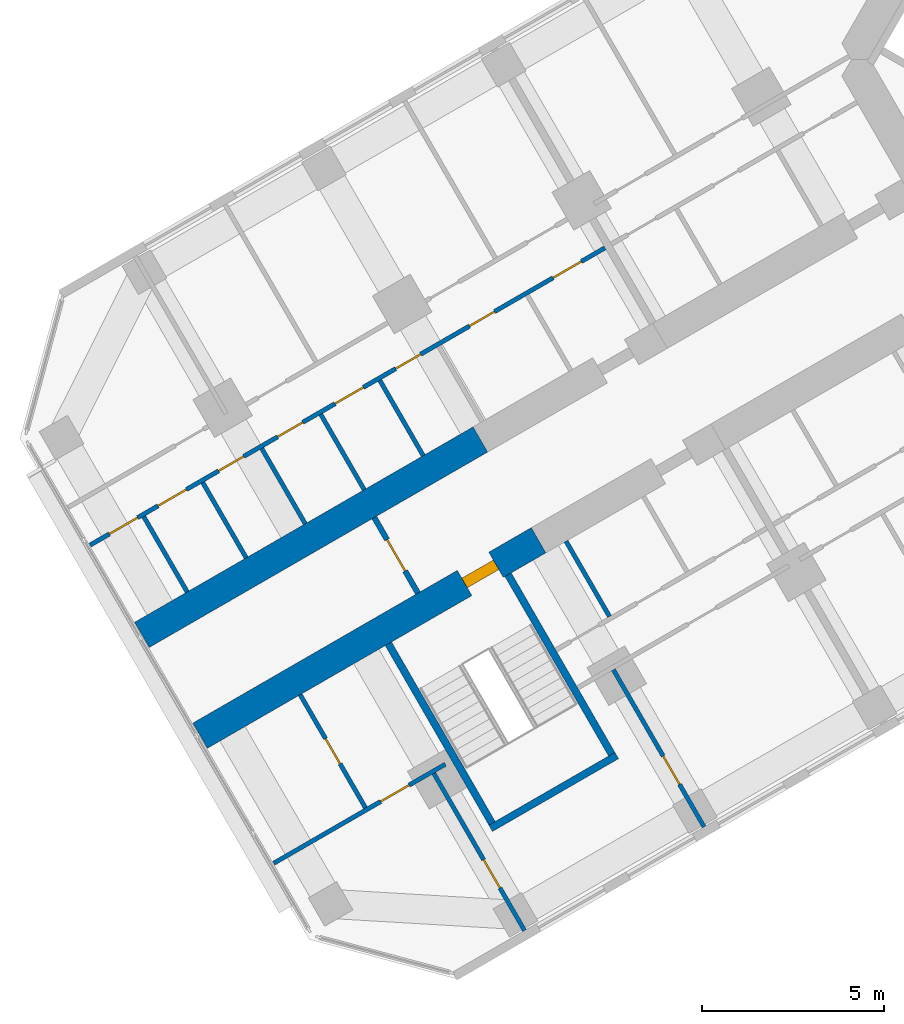
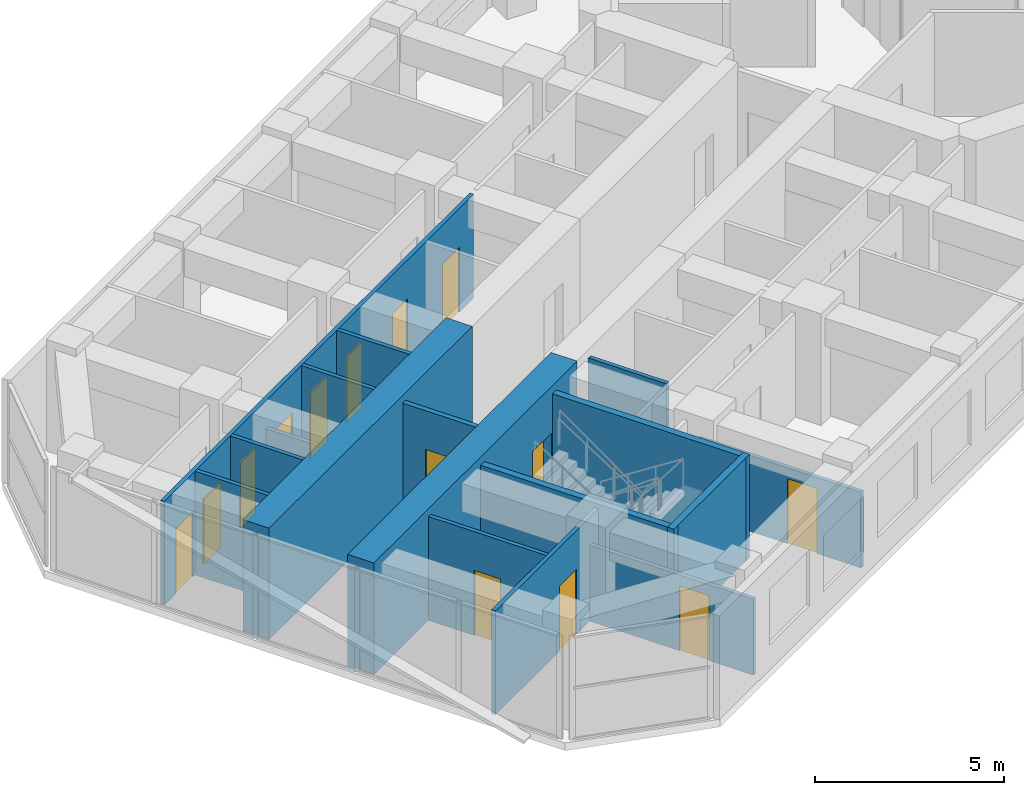
# One storey, part 10 of 19: 17 walls, 14 doors, 14 openings.
"""IFC4 building model written with IfcOpenShell, lengths in metres."""

from ifc_helpers import new_model, si_unit, direction, frame, frame_2d, origin, place, context, subcontext, project, spatial, rectangle, extrude, material, layer, layer_set, type_object, element, fill, save


model = new_model("IFC4")

# Units and contexts
model_context = context("Model", 3, precision=1e-05, world=origin(), true_north=direction((0.0, 1.0)))
body_context = subcontext(model_context, "Body", "Model", "MODEL_VIEW")
ifc_project = project(units=[si_unit("LENGTHUNIT", "METRE"), si_unit("AREAUNIT", "SQUARE_METRE"), si_unit("VOLUMEUNIT", "CUBIC_METRE"), si_unit("PLANEANGLEUNIT", "RADIAN"), si_unit("MASSUNIT", "GRAM", prefix="KILO")], contexts=[model_context])

# Site, building, storey
site_placement = place(None, origin())
site = spatial("IfcSite", under=ifc_project, at=site_placement, CompositionType="ELEMENT")
building_placement = place(site_placement, origin())
building = spatial("IfcBuilding", under=site, at=building_placement, Name="Kosmar Iwan School Tower", CompositionType="ELEMENT")
storey_placement = place(building_placement, frame((0.0, 0.0, 158.0)))
storey = spatial("IfcBuildingStorey", under=building, at=storey_placement, Name="L39", CompositionType="ELEMENT", Elevation=158.0)

# Wall, opening, door
ifc_material_1 = material(Name="Concrete C50/60", Category="concrete")
ifc_layer_1 = layer(ifc_material_1, 0.800048828125)
ifc_layer_set_1 = layer_set([ifc_layer_1], Name="Corridor buttress wall 800")
wall_type_1 = type_object("IfcWallType", Name="Corridor buttress wall 800", PredefinedType="SHEAR", material=ifc_layer_set_1)
wall_1_placement = place(storey_placement, frame((-19.681396484375, -13.210693359375, 0.0), z_axis=(0.0, 0.0, 1.0), x_axis=(-0.866028186671, -0.499995179869, 0.0)))
wall_1 = element("IfcWall", 1, at=wall_1_placement, inside=storey, type_object=wall_type_1, Name="Corridor wall BL bay 3", PredefinedType="SHEAR", context=body_context, shape_type="SweptSolid", body=[
    extrude(rectangle(XDim=10.7451171875, YDim=0.800048828125, at=frame_2d((5.37255859375, 0.0))), origin(), (0.0, 0.0, 1.0), 3.60009765625),
])
opening_1_placement = place(wall_1_placement, frame((1.35009765625, 0.0, 0.0)))
opening_1 = element("IfcOpeningElement", 2, at=opening_1_placement, cuts=wall_1, Name="Opening D6", PredefinedType="OPENING", context=body_context, shape_type="SweptSolid", body=[
    extrude(rectangle(XDim=1.0, YDim=2.10009765625, at=frame_2d((0.5, 1.050048828125))), frame((0.0, 0.412109375, 0.0), z_axis=(0.0, -1.0, 0.0), x_axis=(1.0, 0.0, 0.0)), (0.0, 0.0, 1.0), 0.823974609375),
])
ifc_material_2 = material(Name="Steel fire door", Category="steel")
door_type_1 = type_object("IfcDoorType", Name="Stair door 1000x2100", OperationType="SINGLE_SWING_LEFT", PredefinedType="DOOR", material=ifc_material_2)
door_1_placement = place(opening_1_placement, origin())
door_1 = element("IfcDoor", 3, at=door_1_placement, inside=storey, type_object=door_type_1, Name="Stair WS2 door L39", OperationType="SINGLE_SWING_LEFT", OverallHeight=2.10009765625, OverallWidth=1.0, PredefinedType="DOOR", context=body_context, shape_type="SweptSolid", body=[
    extrude(rectangle(XDim=1.0, YDim=2.10009765625, at=frame_2d((0.5, 1.050048828125))), frame((0.0, 0.14990234375, 0.0), z_axis=(0.0, -1.0, 0.0), x_axis=(1.0, 0.0, 0.0)), (0.0, 0.0, 1.0), 0.300048828125),
])
fill(opening_1, door_1)

# Wall
wall_2_placement = place(storey_placement, frame((-21.281494140625, -10.439453125, 0.0), z_axis=(0.0, 0.0, 1.0), x_axis=(-0.866032345022, -0.499987977232, 0.0)))
element("IfcWall", 4, at=wall_2_placement, inside=storey, type_object=wall_type_1, Name="Corridor wall BR bay 3", PredefinedType="SHEAR", context=body_context, shape_type="SweptSolid", body=[
    extrude(rectangle(XDim=10.744873046875, YDim=0.800048828125, at=frame_2d((5.37255859375, 0.0))), origin(), (0.0, 0.0, 1.0), 3.60009765625),
])

# Wall, opening, door
ifc_material_3 = material(Name="Gypsum board on steel studs, fire-rated", Category="steel")
ifc_layer_2 = layer(ifc_material_3, 0.14990234375)
ifc_layer_set_2 = layer_set([ifc_layer_2], Name="Corridor end wall 150")
wall_type_2 = type_object("IfcWallType", Name="Corridor end wall 150", PredefinedType="PARTITIONING", material=ifc_layer_set_2)
wall_3_placement = place(storey_placement, frame((-24.19921875, -12.585693359375, 0.0), z_axis=(0.0, 0.0, 1.0), x_axis=(0.499957262057, -0.866050077142, 0.0)))
wall_3 = element("IfcWall", 5, at=wall_3_placement, inside=storey, type_object=wall_type_2, Name="Partition L39-B-CE", PredefinedType="PARTITIONING", context=body_context, shape_type="SweptSolid", body=[
    extrude(rectangle(XDim=2.400146484375, YDim=0.14990234375, at=frame_2d((1.2001953125, 0.0))), origin(), (0.0, 0.0, 1.0), 3.35009765625),
])
opening_2_placement = place(wall_3_placement, frame((0.699951171875, 0.0, 0.0)))
opening_2 = element("IfcOpeningElement", 6, at=opening_2_placement, cuts=wall_3, Name="Opening D13", PredefinedType="OPENING", context=body_context, shape_type="SweptSolid", body=[
    extrude(rectangle(XDim=1.0, YDim=2.10009765625, at=frame_2d((0.5, 1.050048828125))), frame((0.0, 0.0869140625, 0.0), z_axis=(0.0, -1.0, 0.0), x_axis=(1.0, 0.0, 0.0)), (0.0, 0.0, 1.0), 0.173828125),
])
ifc_material_4 = material(Name="Timber fire door with vision panel", Category="wood")
door_type_2 = type_object("IfcDoorType", Name="Corridor end door 1000x2100", OperationType="SINGLE_SWING_LEFT", PredefinedType="DOOR", material=ifc_material_4)
door_2_placement = place(opening_2_placement, origin())
door_2 = element("IfcDoor", 7, at=door_2_placement, inside=storey, type_object=door_type_2, Name="Laundry and drying room door L39-B", OperationType="SINGLE_SWING_RIGHT", OverallHeight=2.10009765625, OverallWidth=1.0, PredefinedType="DOOR", context=body_context, shape_type="SweptSolid", body=[
    extrude(rectangle(XDim=1.0, YDim=2.10009765625, at=frame_2d((0.5, 1.050048828125))), frame((0.0, 0.02490234375, 0.0), z_axis=(0.0, -1.0, 0.0), x_axis=(1.0, 0.0, 0.0)), (0.0, 0.0, 1.0), 0.050048828125),
])
fill(opening_2, door_2)

# Wall
ifc_material_5 = material(Name="Gypsum board on steel studs", Category="steel")
ifc_layer_3 = layer(ifc_material_5, 0.1201171875)
ifc_layer_set_3 = layer_set([ifc_layer_3], Name="Dwelling partition 120")
wall_type_3 = type_object("IfcWallType", Name="Dwelling partition 120", PredefinedType="PARTITIONING", material=ifc_layer_set_3)
wall_4_placement = place(storey_placement, frame((-18.92724609375, -13.237060546875, 0.0), z_axis=(0.0, 0.0, 1.0), x_axis=(0.500017192868, -0.86601547725, 0.0)))
element("IfcWall", 8, at=wall_4_placement, inside=storey, type_object=wall_type_3, Name="Partition L39-BL2-Y2", PredefinedType="PARTITIONING", context=body_context, shape_type="SweptSolid", body=[
    extrude(rectangle(XDim=2.39013671875, YDim=0.1201171875, at=frame_2d((1.195068359375, 0.0))), origin(), (0.0, 0.0, 1.0), 3.35009765625),
])

# Wall, opening, door
wall_5_placement = place(storey_placement, frame((-17.62646484375, -16.77001953125, 0.0), z_axis=(0.0, 0.0, 1.0), x_axis=(0.499975153383, -0.86603974851, 0.0)))
wall_5 = element("IfcWall", 9, at=wall_5_placement, inside=storey, type_object=wall_type_3, Name="Partition L39-BL2-TB", PredefinedType="PARTITIONING", context=body_context, shape_type="SweptSolid", body=[
    extrude(rectangle(XDim=4.989990234375, YDim=0.1201171875, at=frame_2d((2.4951171875, 0.0))), origin(), (0.0, 0.0, 1.0), 2.449951171875),
])
opening_3_placement = place(wall_5_placement, frame((2.739990234375, 0.0, 0.0)))
opening_3 = element("IfcOpeningElement", 10, at=opening_3_placement, cuts=wall_5, Name="Opening D2", PredefinedType="OPENING", context=body_context, shape_type="SweptSolid", body=[
    extrude(rectangle(XDim=0.89990234375, YDim=2.10009765625, at=frame_2d((0.449951171875, 1.050048828125))), frame((0.0, 0.072021484375, 0.0), z_axis=(0.0, -1.0, 0.0), x_axis=(1.0, 0.0, 0.0)), (0.0, 0.0, 1.0), 0.14404296875),
])
ifc_material_6 = material(Name="Timber door in timber frame", Category="wood")
door_type_3 = type_object("IfcDoorType", Name="Internal door 900x2100", OperationType="SINGLE_SWING_LEFT", PredefinedType="DOOR", material=ifc_material_6)
door_3_placement = place(opening_3_placement, origin())
door_3 = element("IfcDoor", 11, at=door_3_placement, inside=storey, type_object=door_type_3, Name="Study door L39-BL2-F1", OperationType="SINGLE_SWING_RIGHT", OverallHeight=2.10009765625, OverallWidth=0.89990234375, PredefinedType="DOOR", context=body_context, shape_type="SweptSolid", body=[
    extrude(rectangle(XDim=0.89990234375, YDim=2.10009765625, at=frame_2d((0.449951171875, 1.050048828125))), frame((0.0, 0.02490234375, 0.0), z_axis=(0.0, -1.0, 0.0), x_axis=(1.0, 0.0, 0.0)), (0.0, 0.0, 1.0), 0.050048828125),
])
fill(opening_3, door_3)

wall_6_placement = place(storey_placement, frame((-22.562744140625, -19.6201171875, 0.0), z_axis=(0.0, 0.0, 1.0), x_axis=(0.499996339024, -0.86602751744, 0.0)))
wall_6 = element("IfcWall", 12, at=wall_6_placement, inside=storey, type_object=wall_type_3, Name="Partition L39-BL2-TX", PredefinedType="PARTITIONING", context=body_context, shape_type="SweptSolid", body=[
    extrude(rectangle(XDim=4.98974609375, YDim=0.1201171875, at=frame_2d((2.494873046875, 0.0))), origin(), (0.0, 0.0, 1.0), 2.449951171875),
])
opening_4_placement = place(wall_6_placement, frame((2.739990234375, 0.0, 0.0)))
opening_4 = element("IfcOpeningElement", 13, at=opening_4_placement, cuts=wall_6, Name="Opening D2", PredefinedType="OPENING", context=body_context, shape_type="SweptSolid", body=[
    extrude(rectangle(XDim=0.89990234375, YDim=2.10009765625, at=frame_2d((0.449951171875, 1.050048828125))), frame((0.0, 0.072021484375, 0.0), z_axis=(0.0, -1.0, 0.0), x_axis=(1.0, 0.0, 0.0)), (0.0, 0.0, 1.0), 0.14404296875),
])
door_4_placement = place(opening_4_placement, origin())
door_4 = element("IfcDoor", 14, at=door_4_placement, inside=storey, type_object=door_type_3, Name="Study door L39-BL2-T1", OperationType="SINGLE_SWING_RIGHT", OverallHeight=2.10009765625, OverallWidth=0.89990234375, PredefinedType="DOOR", context=body_context, shape_type="SweptSolid", body=[
    extrude(rectangle(XDim=0.89990234375, YDim=2.10009765625, at=frame_2d((0.449951171875, 1.050048828125))), frame((0.0, 0.02490234375, 0.0), z_axis=(0.0, -1.0, 0.0), x_axis=(1.0, 0.0, 0.0)), (0.0, 0.0, 1.0), 0.050048828125),
])
fill(opening_4, door_4)

wall_7_placement = place(storey_placement, frame((-22.246337890625, -19.3681640625, 0.0), z_axis=(0.0, 0.0, 1.0), x_axis=(-0.866035508231, -0.499982498177, 0.0)))
wall_7 = element("IfcWall", 15, at=wall_7_placement, inside=storey, type_object=wall_type_3, Name="Partition L39-BL2-TW", PredefinedType="PARTITIONING", context=body_context, shape_type="SweptSolid", body=[
    extrude(rectangle(XDim=5.445068359375, YDim=0.1201171875, at=frame_2d((2.72265625, 0.0))), origin(), (0.0, 0.0, 1.0), 3.35009765625),
])
opening_5_placement = place(wall_7_placement, frame((1.14990234375, 0.0, 0.0)))
opening_5 = element("IfcOpeningElement", 16, at=opening_5_placement, cuts=wall_7, Name="Opening D2", PredefinedType="OPENING", context=body_context, shape_type="SweptSolid", body=[
    extrude(rectangle(XDim=0.89990234375, YDim=2.10009765625, at=frame_2d((0.449951171875, 1.050048828125))), frame((0.0, 0.072021484375, 0.0), z_axis=(0.0, -1.0, 0.0), x_axis=(1.0, 0.0, 0.0)), (0.0, 0.0, 1.0), 0.14404296875),
])
door_5_placement = place(opening_5_placement, origin())
door_5 = element("IfcDoor", 17, at=door_5_placement, inside=storey, type_object=door_type_3, Name="Dressing room door L39-BL2-T3", OperationType="SINGLE_SWING_LEFT", OverallHeight=2.10009765625, OverallWidth=0.89990234375, PredefinedType="DOOR", context=body_context, shape_type="SweptSolid", body=[
    extrude(rectangle(XDim=0.89990234375, YDim=2.10009765625, at=frame_2d((0.449951171875, 1.050048828125))), frame((0.0, 0.02490234375, 0.0), z_axis=(0.0, -1.0, 0.0), x_axis=(1.0, 0.0, 0.0)), (0.0, 0.0, 1.0), 0.050048828125),
])
fill(opening_5, door_5)

wall_8_placement = place(storey_placement, frame((-26.236572265625, -17.45703125, 0.0), z_axis=(0.0, 0.0, 1.0), x_axis=(0.50002266109, -0.866012320003, 0.0)))
wall_8 = element("IfcWall", 18, at=wall_8_placement, inside=storey, type_object=wall_type_3, Name="Partition L39-BL2-TY", PredefinedType="PARTITIONING", context=body_context, shape_type="SweptSolid", body=[
    extrude(rectangle(XDim=3.590087890625, YDim=0.1201171875, at=frame_2d((1.794921875, 0.0))), origin(), (0.0, 0.0, 1.0), 3.35009765625),
])
opening_6_placement = place(wall_8_placement, frame((1.39501953125, 0.0, 0.0)))
opening_6 = element("IfcOpeningElement", 19, at=opening_6_placement, cuts=wall_8, Name="Opening D3", PredefinedType="OPENING", context=body_context, shape_type="SweptSolid", body=[
    extrude(rectangle(XDim=0.800048828125, YDim=2.10009765625, at=frame_2d((0.39990234375, 1.050048828125))), frame((0.0, 0.072021484375, 0.0), z_axis=(0.0, -1.0, 0.0), x_axis=(1.0, 0.0, 0.0)), (0.0, 0.0, 1.0), 0.14404296875),
])
ifc_material_7 = material(Name="Timber door in timber frame", Category="wood")
door_type_4 = type_object("IfcDoorType", Name="Sanitary room door 800x2100", OperationType="SINGLE_SWING_LEFT", PredefinedType="DOOR", material=ifc_material_7)
door_6_placement = place(opening_6_placement, origin())
door_6 = element("IfcDoor", 20, at=door_6_placement, inside=storey, type_object=door_type_4, Name="Shower room door L39-BL2-T4", OperationType="SINGLE_SWING_RIGHT", OverallHeight=2.10009765625, OverallWidth=0.800048828125, PredefinedType="DOOR", context=body_context, shape_type="SweptSolid", body=[
    extrude(rectangle(XDim=0.800048828125, YDim=2.10009765625, at=frame_2d((0.39990234375, 1.050048828125))), frame((0.0, 0.02490234375, 0.0), z_axis=(0.0, -1.0, 0.0), x_axis=(1.0, 0.0, 0.0)), (0.0, 0.0, 1.0), 0.050048828125),
])
fill(opening_6, door_6)

# Wall, openings, doors
wall_9_placement = place(storey_placement, frame((-17.856689453125, -5.171142578125, 0.0), z_axis=(0.0, 0.0, 1.0), x_axis=(-0.866023907196, -0.500002592159, 0.0)))
wall_9 = element("IfcWall", 21, at=wall_9_placement, inside=storey, type_object=wall_type_3, Name="Partition L39-BR2-W1", PredefinedType="PARTITIONING", context=body_context, shape_type="SweptSolid", body=[
    extrude(rectangle(XDim=16.34521484375, YDim=0.1201171875, at=frame_2d((8.172607421875, 0.0))), origin(), (0.0, 0.0, 1.0), 3.35009765625),
])
opening_7_placement = place(wall_9_placement, frame((0.75, 0.0, 0.0)))
opening_7 = element("IfcOpeningElement", 22, at=opening_7_placement, cuts=wall_9, Name="Opening D2", PredefinedType="OPENING", context=body_context, shape_type="SweptSolid", body=[
    extrude(rectangle(XDim=0.89990234375, YDim=2.10009765625, at=frame_2d((0.449951171875, 1.050048828125))), frame((0.0, 0.072021484375, 0.0), z_axis=(0.0, -1.0, 0.0), x_axis=(1.0, 0.0, 0.0)), (0.0, 0.0, 1.0), 0.14404296875),
])
opening_8_placement = place(wall_9_placement, frame((3.505126953125, 0.0, 0.0)))
opening_8 = element("IfcOpeningElement", 23, at=opening_8_placement, cuts=wall_9, Name="Opening D3", PredefinedType="OPENING", context=body_context, shape_type="SweptSolid", body=[
    extrude(rectangle(XDim=0.800048828125, YDim=2.10009765625, at=frame_2d((0.39990234375, 1.050048828125))), frame((0.0, 0.072021484375, 0.0), z_axis=(0.0, -1.0, 0.0), x_axis=(1.0, 0.0, 0.0)), (0.0, 0.0, 1.0), 0.14404296875),
])
opening_9_placement = place(wall_9_placement, frame((5.8466796875, 0.0, 0.0)))
opening_9 = element("IfcOpeningElement", 24, at=opening_9_placement, cuts=wall_9, Name="Opening D3", PredefinedType="OPENING", context=body_context, shape_type="SweptSolid", body=[
    extrude(rectangle(XDim=0.800048828125, YDim=2.10009765625, at=frame_2d((0.39990234375, 1.050048828125))), frame((0.0, 0.072021484375, 0.0), z_axis=(0.0, -1.0, 0.0), x_axis=(1.0, 0.0, 0.0)), (0.0, 0.0, 1.0), 0.14404296875),
])
opening_10_placement = place(wall_9_placement, frame((7.669921875, 0.0, 0.0)))
opening_10 = element("IfcOpeningElement", 25, at=opening_10_placement, cuts=wall_9, Name="Opening D2", PredefinedType="OPENING", context=body_context, shape_type="SweptSolid", body=[
    extrude(rectangle(XDim=0.89990234375, YDim=2.10009765625, at=frame_2d((0.449951171875, 1.050048828125))), frame((0.0, 0.072021484375, 0.0), z_axis=(0.0, -1.0, 0.0), x_axis=(1.0, 0.0, 0.0)), (0.0, 0.0, 1.0), 0.14404296875),
])
opening_11_placement = place(wall_9_placement, frame((9.59326171875, 0.0, 0.0)))
opening_11 = element("IfcOpeningElement", 26, at=opening_11_placement, cuts=wall_9, Name="Opening D3", PredefinedType="OPENING", context=body_context, shape_type="SweptSolid", body=[
    extrude(rectangle(XDim=0.800048828125, YDim=2.10009765625, at=frame_2d((0.39990234375, 1.050048828125))), frame((0.0, 0.072021484375, 0.0), z_axis=(0.0, -1.0, 0.0), x_axis=(1.0, 0.0, 0.0)), (0.0, 0.0, 1.0), 0.14404296875),
])
opening_12_placement = place(wall_9_placement, frame((11.466796875, 0.0, 0.0)))
opening_12 = element("IfcOpeningElement", 27, at=opening_12_placement, cuts=wall_9, Name="Opening D3", PredefinedType="OPENING", context=body_context, shape_type="SweptSolid", body=[
    extrude(rectangle(XDim=0.800048828125, YDim=2.10009765625, at=frame_2d((0.39990234375, 1.050048828125))), frame((0.0, 0.072021484375, 0.0), z_axis=(0.0, -1.0, 0.0), x_axis=(1.0, 0.0, 0.0)), (0.0, 0.0, 1.0), 0.14404296875),
])
opening_13_placement = place(wall_9_placement, frame((13.2900390625, 0.0, 0.0)))
opening_13 = element("IfcOpeningElement", 28, at=opening_13_placement, cuts=wall_9, Name="Opening D2", PredefinedType="OPENING", context=body_context, shape_type="SweptSolid", body=[
    extrude(rectangle(XDim=0.89990234375, YDim=2.10009765625, at=frame_2d((0.449951171875, 1.050048828125))), frame((0.0, 0.072021484375, 0.0), z_axis=(0.0, -1.0, 0.0), x_axis=(1.0, 0.0, 0.0)), (0.0, 0.0, 1.0), 0.14404296875),
])
opening_14_placement = place(wall_9_placement, frame((14.836669921875, 0.0, 0.0)))
opening_14 = element("IfcOpeningElement", 29, at=opening_14_placement, cuts=wall_9, Name="Opening D2", PredefinedType="OPENING", context=body_context, shape_type="SweptSolid", body=[
    extrude(rectangle(XDim=0.89990234375, YDim=2.10009765625, at=frame_2d((0.449951171875, 1.050048828125))), frame((0.0, 0.072021484375, 0.0), z_axis=(0.0, -1.0, 0.0), x_axis=(1.0, 0.0, 0.0)), (0.0, 0.0, 1.0), 0.14404296875),
])
door_7_placement = place(opening_7_placement, origin())
door_7 = element("IfcDoor", 30, at=door_7_placement, inside=storey, type_object=door_type_3, Name="Entrance hall door L39-BR2-S1", OperationType="SINGLE_SWING_LEFT", OverallHeight=2.10009765625, OverallWidth=0.89990234375, PredefinedType="DOOR", context=body_context, shape_type="SweptSolid", body=[
    extrude(rectangle(XDim=0.89990234375, YDim=2.10009765625, at=frame_2d((0.449951171875, 1.050048828125))), frame((0.0, 0.02490234375, 0.0), z_axis=(0.0, -1.0, 0.0), x_axis=(1.0, 0.0, 0.0)), (0.0, 0.0, 1.0), 0.050048828125),
])
fill(opening_7, door_7)
door_8_placement = place(opening_10_placement, origin())
door_8 = element("IfcDoor", 31, at=door_8_placement, inside=storey, type_object=door_type_3, Name="Pantry door L39-BR2-S4", OperationType="SINGLE_SWING_RIGHT", OverallHeight=2.10009765625, OverallWidth=0.89990234375, PredefinedType="DOOR", context=body_context, shape_type="SweptSolid", body=[
    extrude(rectangle(XDim=0.89990234375, YDim=2.10009765625, at=frame_2d((0.449951171875, 1.050048828125))), frame((0.0, 0.02490234375, 0.0), z_axis=(0.0, -1.0, 0.0), x_axis=(1.0, 0.0, 0.0)), (0.0, 0.0, 1.0), 0.050048828125),
])
fill(opening_10, door_8)
door_9_placement = place(opening_13_placement, origin())
door_9 = element("IfcDoor", 32, at=door_9_placement, inside=storey, type_object=door_type_3, Name="Utility room door L39-BR2-S7", OperationType="SINGLE_SWING_LEFT", OverallHeight=2.10009765625, OverallWidth=0.89990234375, PredefinedType="DOOR", context=body_context, shape_type="SweptSolid", body=[
    extrude(rectangle(XDim=0.89990234375, YDim=2.10009765625, at=frame_2d((0.449951171875, 1.050048828125))), frame((0.0, 0.02490234375, 0.0), z_axis=(0.0, -1.0, 0.0), x_axis=(1.0, 0.0, 0.0)), (0.0, 0.0, 1.0), 0.050048828125),
])
fill(opening_13, door_9)
door_10_placement = place(opening_14_placement, origin())
door_10 = element("IfcDoor", 33, at=door_10_placement, inside=storey, type_object=door_type_3, Name="Dressing room door L39-BR2-S8", OperationType="SINGLE_SWING_LEFT", OverallHeight=2.10009765625, OverallWidth=0.89990234375, PredefinedType="DOOR", context=body_context, shape_type="SweptSolid", body=[
    extrude(rectangle(XDim=0.89990234375, YDim=2.10009765625, at=frame_2d((0.449951171875, 1.050048828125))), frame((0.0, 0.02490234375, 0.0), z_axis=(0.0, -1.0, 0.0), x_axis=(1.0, 0.0, 0.0)), (0.0, 0.0, 1.0), 0.050048828125),
])
fill(opening_14, door_10)
door_11_placement = place(opening_8_placement, origin())
door_11 = element("IfcDoor", 34, at=door_11_placement, inside=storey, type_object=door_type_4, Name="Bathroom door L39-BR2-S2", OperationType="SINGLE_SWING_RIGHT", OverallHeight=2.10009765625, OverallWidth=0.800048828125, PredefinedType="DOOR", context=body_context, shape_type="SweptSolid", body=[
    extrude(rectangle(XDim=0.800048828125, YDim=2.10009765625, at=frame_2d((0.39990234375, 1.050048828125))), frame((0.0, 0.02490234375, 0.0), z_axis=(0.0, -1.0, 0.0), x_axis=(1.0, 0.0, 0.0)), (0.0, 0.0, 1.0), 0.050048828125),
])
fill(opening_8, door_11)
door_12_placement = place(opening_9_placement, origin())
door_12 = element("IfcDoor", 35, at=door_12_placement, inside=storey, type_object=door_type_4, Name="Shower room door L39-BR2-S3", OperationType="SINGLE_SWING_LEFT", OverallHeight=2.10009765625, OverallWidth=0.800048828125, PredefinedType="DOOR", context=body_context, shape_type="SweptSolid", body=[
    extrude(rectangle(XDim=0.800048828125, YDim=2.10009765625, at=frame_2d((0.39990234375, 1.050048828125))), frame((0.0, 0.02490234375, 0.0), z_axis=(0.0, -1.0, 0.0), x_axis=(1.0, 0.0, 0.0)), (0.0, 0.0, 1.0), 0.050048828125),
])
fill(opening_9, door_12)
door_13_placement = place(opening_11_placement, origin())
door_13 = element("IfcDoor", 36, at=door_13_placement, inside=storey, type_object=door_type_4, Name="WC door L39-BR2-S5", OperationType="SINGLE_SWING_LEFT", OverallHeight=2.10009765625, OverallWidth=0.800048828125, PredefinedType="DOOR", context=body_context, shape_type="SweptSolid", body=[
    extrude(rectangle(XDim=0.800048828125, YDim=2.10009765625, at=frame_2d((0.39990234375, 1.050048828125))), frame((0.0, 0.02490234375, 0.0), z_axis=(0.0, -1.0, 0.0), x_axis=(1.0, 0.0, 0.0)), (0.0, 0.0, 1.0), 0.050048828125),
])
fill(opening_11, door_13)
door_14_placement = place(opening_12_placement, origin())
door_14 = element("IfcDoor", 37, at=door_14_placement, inside=storey, type_object=door_type_4, Name="Store door L39-BR2-S6", OperationType="SINGLE_SWING_RIGHT", OverallHeight=2.10009765625, OverallWidth=0.800048828125, PredefinedType="DOOR", context=body_context, shape_type="SweptSolid", body=[
    extrude(rectangle(XDim=0.800048828125, YDim=2.10009765625, at=frame_2d((0.39990234375, 1.050048828125))), frame((0.0, 0.02490234375, 0.0), z_axis=(0.0, -1.0, 0.0), x_axis=(1.0, 0.0, 0.0)), (0.0, 0.0, 1.0), 0.050048828125),
])
fill(opening_12, door_14)

# Walls
wall_10_placement = place(storey_placement, frame((-22.852783203125, -10.884521484375, 0.0), z_axis=(0.0, 0.0, 1.0), x_axis=(-0.499940577336, 0.866059708757, 0.0)))
element("IfcWall", 38, at=wall_10_placement, inside=storey, type_object=wall_type_3, Name="Partition L39-BR2-Y3", PredefinedType="PARTITIONING", context=body_context, shape_type="SweptSolid", body=[
    extrude(rectangle(XDim=2.389892578125, YDim=0.1201171875, at=frame_2d((1.19482421875, 0.0))), origin(), (0.0, 0.0, 1.0), 3.35009765625),
])
wall_11_placement = place(storey_placement, frame((-24.47509765625, -11.8212890625, 0.0), z_axis=(0.0, 0.0, 1.0), x_axis=(-0.500017192868, 0.86601547725, 0.0)))
element("IfcWall", 39, at=wall_11_placement, inside=storey, type_object=wall_type_3, Name="Partition L39-BR2-Y4", PredefinedType="PARTITIONING", context=body_context, shape_type="SweptSolid", body=[
    extrude(rectangle(XDim=2.39013671875, YDim=0.1201171875, at=frame_2d((1.195068359375, 0.0))), origin(), (0.0, 0.0, 1.0), 3.35009765625),
])
wall_12_placement = place(storey_placement, frame((-26.097412109375, -12.758056640625, 0.0), z_axis=(0.0, 0.0, 1.0), x_axis=(-0.500017192868, 0.86601547725, 0.0)))
element("IfcWall", 40, at=wall_12_placement, inside=storey, type_object=wall_type_3, Name="Partition L39-BR2-Y5", PredefinedType="PARTITIONING", context=body_context, shape_type="SweptSolid", body=[
    extrude(rectangle(XDim=2.39013671875, YDim=0.1201171875, at=frame_2d((1.195068359375, 0.0))), origin(), (0.0, 0.0, 1.0), 2.449951171875),
])
for number, where, z_axis, x_axis, name in (
    (41, (-27.7197265625, -13.694580078125, 0.0), (0.0, 0.0, 1.0), (-0.500017192868, 0.86601547725, 0.0), "Partition L39-BR2-Y6"),
    (42, (-29.342041015625, -14.63134765625, 0.0), (0.0, 0.0, 1.0), (-0.500017192868, 0.86601547725, 0.0), "Partition L39-BR2-Y7"),
):
    element("IfcWall", number, at=place(storey_placement, frame(where, z_axis=z_axis, x_axis=x_axis)), inside=storey, type_object=wall_type_3, Name=name, PredefinedType="PARTITIONING", context=body_context, shape_type="SweptSolid", body=[
        extrude(rectangle(XDim=2.39013671875, YDim=0.1201171875, at=frame_2d((1.195068359375, 0.0))), origin(), (0.0, 0.0, 1.0), 3.35009765625),
    ])
ifc_material_8 = material(Name="Concrete C35/45", Category="concrete")
ifc_layer_4 = layer(ifc_material_8, 0.199951171875)
ifc_layer_set_4 = layer_set([ifc_layer_4], Name="Escape stair wall 200")
wall_type_4 = type_object("IfcWallType", Name="Escape stair wall 200", PredefinedType="SHEAR", material=ifc_layer_set_4)
wall_13_placement = place(storey_placement, frame((-20.520751953125, -14.156982421875, 0.0), z_axis=(0.0, 0.0, 1.0), x_axis=(0.499988710057, -0.866031921938, 0.0)))
element("IfcWall", 43, at=wall_13_placement, inside=storey, type_object=wall_type_4, Name="Stair WS2 wall", PredefinedType="SHEAR", context=body_context, shape_type="SweptSolid", body=[
    extrude(rectangle(XDim=5.900146484375, YDim=0.199951171875, at=frame_2d((2.9501953125, 0.0))), origin(), (0.0, 0.0, 1.0), 3.330078125),
])
wall_14_placement = place(storey_placement, frame((-23.8115234375, -16.05712890625, 0.0), z_axis=(0.0, 0.0, 1.0), x_axis=(0.500006628179, -0.86602157697, 0.0)))
element("IfcWall", 44, at=wall_14_placement, inside=storey, type_object=wall_type_4, Name="Stair WS2 wall", PredefinedType="SHEAR", context=body_context, shape_type="SweptSolid", body=[
    extrude(rectangle(XDim=5.89990234375, YDim=0.199951171875, at=frame_2d((2.949951171875, 0.0))), origin(), (0.0, 0.0, 1.0), 3.330078125),
])
wall_15_placement = place(storey_placement, frame((-17.5341796875, -19.1298828125, 0.0), z_axis=(0.0, 0.0, 1.0), x_axis=(-0.866026010844, -0.49999894854, 0.0)))
element("IfcWall", 45, at=wall_15_placement, inside=storey, type_object=wall_type_4, Name="Stair WS2 wall", PredefinedType="SHEAR", context=body_context, shape_type="SweptSolid", body=[
    extrude(rectangle(XDim=4.0, YDim=0.199951171875, at=frame_2d((2.0, 0.0))), origin(), (0.0, 0.0, 1.0), 3.330078125),
])

save(model, "model.ifc")
